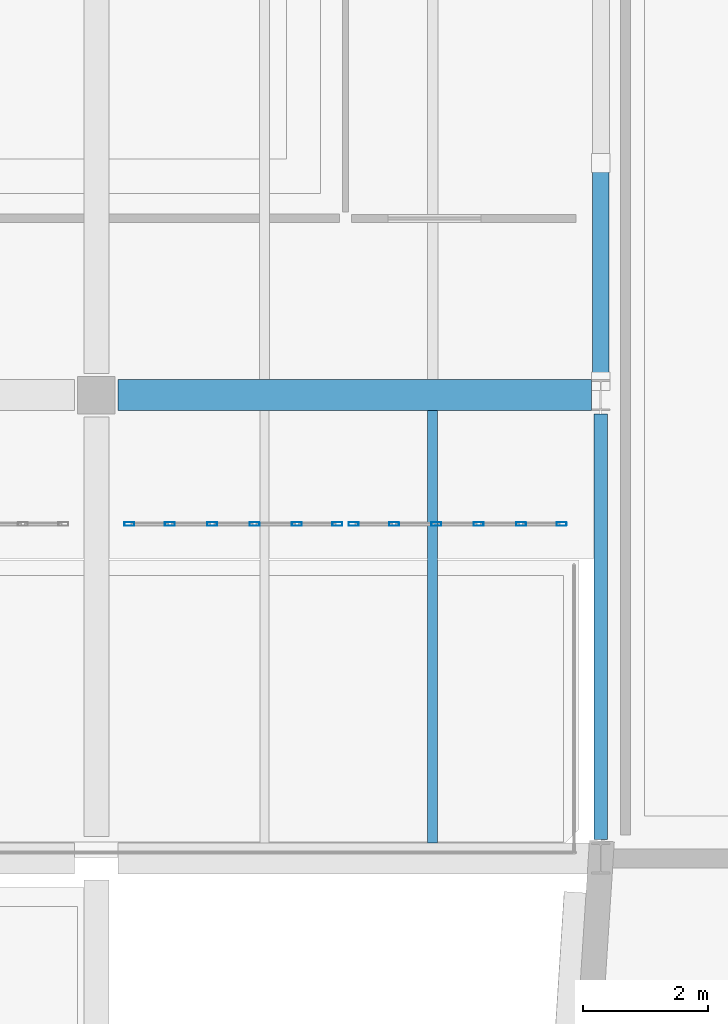
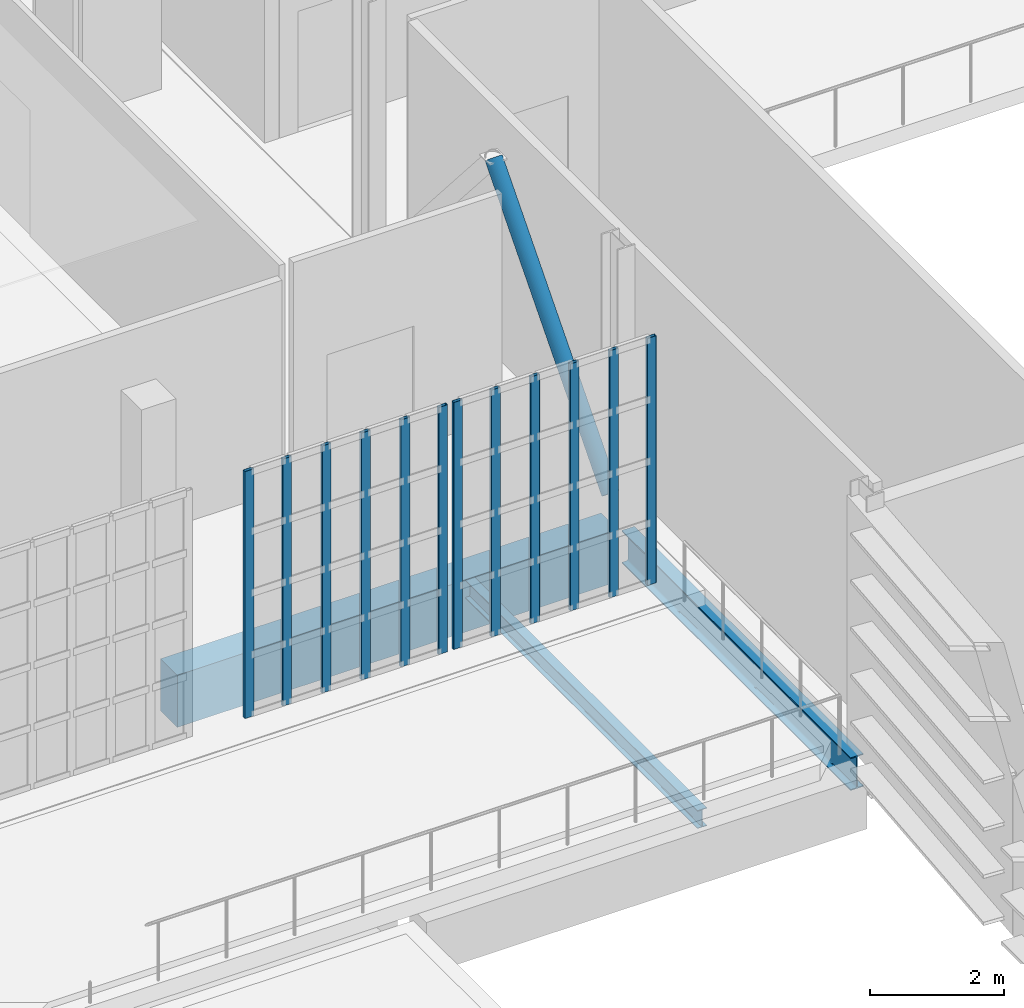
# One storey, part 16 of 104: 13 members, 3 beams, 2 elements without a shape of their own.
"""IFC4 building model written with IfcOpenShell, lengths in metres."""

from ifc_helpers import new_model, si_unit, direction, frame, origin, origin_2d, place, context, subcontext, project, spatial, rectangle, hollow_rectangle, hollow_circle, i_section, extrude, material, material_profile, profile_set, type_object, element, aggregate, save


model = new_model("IFC4")

# Units and contexts
model_context = context("Model", 3, precision=1e-05, world=origin(), true_north=direction((0.0, 1.0)))
body_context = subcontext(model_context, "Body", "Model", "MODEL_VIEW")
ifc_project = project(units=[si_unit("LENGTHUNIT", "METRE"), si_unit("AREAUNIT", "SQUARE_METRE"), si_unit("VOLUMEUNIT", "CUBIC_METRE"), si_unit("PLANEANGLEUNIT", "RADIAN"), si_unit("MASSUNIT", "GRAM", prefix="KILO")], contexts=[model_context])

# Site, building, storey
site_placement = place(None, origin())
site = spatial("IfcSite", under=ifc_project, at=site_placement, CompositionType="ELEMENT")
building_placement = place(site_placement, origin())
building = spatial("IfcBuilding", under=site, at=building_placement, Name="Kaelora Sail Theatre", CompositionType="ELEMENT")
storey_placement = place(building_placement, frame((0.0, 0.0, 5.39990234375)))
storey = spatial("IfcBuildingStorey", under=building, at=storey_placement, Name="L01", CompositionType="ELEMENT", Elevation=5.39990234375)

# Curtain wall, members
ifc_material_1 = material(Name="Anodised aluminium and solar-control low-E IGU", Category="aluminium")
curtain_wall_type = type_object("IfcCurtainWallType", Name="ARC-CW-CW-FOY2", PredefinedType="NOTDEFINED", material=ifc_material_1)
curtain_wall_1_placement = place(storey_placement, origin())
curtain_wall_1 = element("IfcCurtainWall", 1, at=curtain_wall_1_placement, inside=storey, type_object=curtain_wall_type, Name="Glazed Foyer/Conservatory Curtain Wall FW1-S-L01-04", PredefinedType="NOTDEFINED")
ifc_material_2 = material(Name="Anodised aluminium 6063-T6", Category="aluminium")
ifc_material_profile_1 = material_profile(ifc_material_2, hollow_rectangle(XDim=0.06005859375, YDim=0.159912109375, WallThickness=0.00390625, InnerFilletRadius=0.00390625, OuterFilletRadius=0.008056640625, at=origin_2d()), Name="ALU-MULL 60x160x4")
ifc_profile_set_1 = profile_set([ifc_material_profile_1], Name="Anodised aluminium 6063-T6")
member_type_1 = type_object("IfcMemberType", Name="ARC-MEM-ML-160", PredefinedType="MULLION", material=ifc_profile_set_1)
member_1_placement = place(storey_placement, frame((18.22998046875, 66.389892578125, 0.0), z_axis=(0.0, 0.0, 1.0), x_axis=(0.0, 1.0, 0.0)))
member_1 = element("IfcMember", 2, at=member_1_placement, type_object=member_type_1, Name="CW-FOY2 mullion 1", PredefinedType="MULLION", context=body_context, shape_type="SweptSolid", body=[
    extrude(hollow_rectangle(XDim=0.06005859375, YDim=0.159912109375, WallThickness=0.00390625, InnerFilletRadius=0.00390625, OuterFilletRadius=0.008056640625, at=origin_2d()), origin(), (0.0, 0.0, 1.0), 4.505126953125),
])
member_2_placement = place(storey_placement, frame((18.8798828125, 66.389892578125, 0.0), z_axis=(0.0, 0.0, 1.0), x_axis=(0.0, 1.0, 0.0)))
member_2 = element("IfcMember", 3, at=member_2_placement, type_object=member_type_1, Name="CW-FOY2 mullion 2", PredefinedType="MULLION", context=body_context, shape_type="SweptSolid", body=[
    extrude(hollow_rectangle(XDim=0.06005859375, YDim=0.159912109375, WallThickness=0.00390625, InnerFilletRadius=0.00390625, OuterFilletRadius=0.008056640625, at=origin_2d()), origin(), (0.0, 0.0, 1.0), 4.505126953125),
])
member_3_placement = place(storey_placement, frame((19.56005859375, 66.389892578125, 0.0), z_axis=(0.0, 0.0, 1.0), x_axis=(0.0, 1.0, 0.0)))
member_3 = element("IfcMember", 4, at=member_3_placement, type_object=member_type_1, Name="CW-FOY2 mullion 3", PredefinedType="MULLION", context=body_context, shape_type="SweptSolid", body=[
    extrude(hollow_rectangle(XDim=0.06005859375, YDim=0.159912109375, WallThickness=0.00390625, InnerFilletRadius=0.00390625, OuterFilletRadius=0.008056640625, at=origin_2d()), origin(), (0.0, 0.0, 1.0), 4.505126953125),
])
member_4_placement = place(storey_placement, frame((20.239990234375, 66.389892578125, 0.0), z_axis=(0.0, 0.0, 1.0), x_axis=(0.0, 1.0, 0.0)))
member_4 = element("IfcMember", 5, at=member_4_placement, type_object=member_type_1, Name="CW-FOY2 mullion 4", PredefinedType="MULLION", context=body_context, shape_type="SweptSolid", body=[
    extrude(hollow_rectangle(XDim=0.06005859375, YDim=0.159912109375, WallThickness=0.00390625, InnerFilletRadius=0.00390625, OuterFilletRadius=0.008056640625, at=origin_2d()), origin(), (0.0, 0.0, 1.0), 4.505126953125),
])
member_5_placement = place(storey_placement, frame((20.919921875, 66.389892578125, 0.0), z_axis=(0.0, 0.0, 1.0), x_axis=(0.0, 1.0, 0.0)))
member_5 = element("IfcMember", 6, at=member_5_placement, type_object=member_type_1, Name="CW-FOY2 mullion 5", PredefinedType="MULLION", context=body_context, shape_type="SweptSolid", body=[
    extrude(hollow_rectangle(XDim=0.06005859375, YDim=0.159912109375, WallThickness=0.00390625, InnerFilletRadius=0.00390625, OuterFilletRadius=0.008056640625, at=origin_2d()), origin(), (0.0, 0.0, 1.0), 4.505126953125),
])
member_6_placement = place(storey_placement, frame((21.570068359375, 66.389892578125, 0.0), z_axis=(0.0, 0.0, 1.0), x_axis=(0.0, 1.0, 0.0)))
member_6 = element("IfcMember", 7, at=member_6_placement, type_object=member_type_1, Name="CW-FOY2 mullion 6", PredefinedType="MULLION", context=body_context, shape_type="SweptSolid", body=[
    extrude(hollow_rectangle(XDim=0.06005859375, YDim=0.159912109375, WallThickness=0.00390625, InnerFilletRadius=0.00390625, OuterFilletRadius=0.008056640625, at=origin_2d()), origin(), (0.0, 0.0, 1.0), 4.505126953125),
])
aggregate(curtain_wall_1, [member_1, member_2, member_3, member_4, member_5, member_6])

curtain_wall_2_placement = place(storey_placement, origin())
curtain_wall_2 = element("IfcCurtainWall", 8, at=curtain_wall_2_placement, inside=storey, type_object=curtain_wall_type, Name="Glazed Foyer/Conservatory Curtain Wall FW1-S-L01-05", PredefinedType="NOTDEFINED")
member_7_placement = place(storey_placement, frame((21.830078125, 66.389892578125, 0.0), z_axis=(0.0, 0.0, 1.0), x_axis=(0.0, 1.0, 0.0)))
member_7 = element("IfcMember", 9, at=member_7_placement, type_object=member_type_1, Name="CW-FOY2 mullion 1", PredefinedType="MULLION", context=body_context, shape_type="SweptSolid", body=[
    extrude(hollow_rectangle(XDim=0.06005859375, YDim=0.159912109375, WallThickness=0.00390625, InnerFilletRadius=0.00390625, OuterFilletRadius=0.008056640625, at=origin_2d()), origin(), (0.0, 0.0, 1.0), 4.505126953125),
])
member_8_placement = place(storey_placement, frame((22.47998046875, 66.389892578125, 0.0), z_axis=(0.0, 0.0, 1.0), x_axis=(0.0, 1.0, 0.0)))
member_8 = element("IfcMember", 10, at=member_8_placement, type_object=member_type_1, Name="CW-FOY2 mullion 2", PredefinedType="MULLION", context=body_context, shape_type="SweptSolid", body=[
    extrude(hollow_rectangle(XDim=0.06005859375, YDim=0.159912109375, WallThickness=0.00390625, InnerFilletRadius=0.00390625, OuterFilletRadius=0.008056640625, at=origin_2d()), origin(), (0.0, 0.0, 1.0), 4.505126953125),
])
member_9_placement = place(storey_placement, frame((23.159912109375, 66.389892578125, 0.0), z_axis=(0.0, 0.0, 1.0), x_axis=(0.0, 1.0, 0.0)))
member_9 = element("IfcMember", 11, at=member_9_placement, type_object=member_type_1, Name="CW-FOY2 mullion 3", PredefinedType="MULLION", context=body_context, shape_type="SweptSolid", body=[
    extrude(hollow_rectangle(XDim=0.06005859375, YDim=0.159912109375, WallThickness=0.00390625, InnerFilletRadius=0.00390625, OuterFilletRadius=0.008056640625, at=origin_2d()), origin(), (0.0, 0.0, 1.0), 4.505126953125),
])
member_10_placement = place(storey_placement, frame((23.840087890625, 66.389892578125, 0.0), z_axis=(0.0, 0.0, 1.0), x_axis=(0.0, 1.0, 0.0)))
member_10 = element("IfcMember", 12, at=member_10_placement, type_object=member_type_1, Name="CW-FOY2 mullion 4", PredefinedType="MULLION", context=body_context, shape_type="SweptSolid", body=[
    extrude(hollow_rectangle(XDim=0.06005859375, YDim=0.159912109375, WallThickness=0.00390625, InnerFilletRadius=0.00390625, OuterFilletRadius=0.008056640625, at=origin_2d()), origin(), (0.0, 0.0, 1.0), 4.505126953125),
])
member_11_placement = place(storey_placement, frame((24.52001953125, 66.389892578125, 0.0), z_axis=(0.0, 0.0, 1.0), x_axis=(0.0, 1.0, 0.0)))
member_11 = element("IfcMember", 13, at=member_11_placement, type_object=member_type_1, Name="CW-FOY2 mullion 5", PredefinedType="MULLION", context=body_context, shape_type="SweptSolid", body=[
    extrude(hollow_rectangle(XDim=0.06005859375, YDim=0.159912109375, WallThickness=0.00390625, InnerFilletRadius=0.00390625, OuterFilletRadius=0.008056640625, at=origin_2d()), origin(), (0.0, 0.0, 1.0), 4.505126953125),
])
member_12_placement = place(storey_placement, frame((25.169921875, 66.389892578125, 0.0), z_axis=(0.0, 0.0, 1.0), x_axis=(0.0, 1.0, 0.0)))
member_12 = element("IfcMember", 14, at=member_12_placement, type_object=member_type_1, Name="CW-FOY2 mullion 6", PredefinedType="MULLION", context=body_context, shape_type="SweptSolid", body=[
    extrude(hollow_rectangle(XDim=0.06005859375, YDim=0.159912109375, WallThickness=0.00390625, InnerFilletRadius=0.00390625, OuterFilletRadius=0.008056640625, at=origin_2d()), origin(), (0.0, 0.0, 1.0), 4.505126953125),
])
aggregate(curtain_wall_2, [member_7, member_8, member_9, member_10, member_11, member_12])

# Beams
ifc_material_3 = material(Name="Steel S355", Category="steel")
ifc_material_profile_2 = material_profile(ifc_material_3, i_section(OverallWidth=0.219970703125, OverallDepth=0.60009765625, WebThickness=0.011962890625, FlangeThickness=0.01904296875, FilletRadius=0.02392578125, at=origin_2d()), Name="IPE 600")
ifc_profile_set_2 = profile_set([ifc_material_profile_2], Name="Steel S355")
beam_type_1 = type_object("IfcBeamType", Name="STR-BM-BM-IPE600", PredefinedType="USERDEFINED", material=ifc_profile_set_2)
beam_1_placement = place(storey_placement, frame((25.800048828125, 61.320068359375, -0.594970703125), z_axis=(0.0, 1.0, 0.0), x_axis=(-1.0, 0.0, 0.0)))
element("IfcBeam", 15, at=beam_1_placement, inside=storey, type_object=beam_type_1, Name="Primary beam 4 I-J (L01)", ObjectType="GIRDER", PredefinedType="USERDEFINED", context=body_context, shape_type="SweptSolid", body=[
    extrude(i_section(OverallWidth=0.219970703125, OverallDepth=0.60009765625, WebThickness=0.011962890625, FlangeThickness=0.01904296875, FilletRadius=0.02392578125, at=origin_2d()), origin(), (0.0, 0.0, 1.0), 6.83984375),
])
ifc_material_4 = material(Name="Concrete C45/55", Category="concrete")
ifc_material_profile_3 = material_profile(ifc_material_4, rectangle(XDim=0.5, YDim=0.949951171875, at=origin_2d()), Name="RC-GRD 500x950")
ifc_profile_set_3 = profile_set([ifc_material_profile_3], Name="Concrete C45/55")
beam_type_2 = type_object("IfcBeamType", Name="STR-BM-GR-RC5095", PredefinedType="T_BEAM", material=ifc_profile_set_3)
beam_2_placement = place(storey_placement, frame((18.050048828125, 68.4599609375, -0.77001953125), z_axis=(1.0, 0.0, 0.0), x_axis=(0.0, 1.0, 0.0)))
element("IfcBeam", 16, at=beam_2_placement, inside=storey, type_object=beam_type_2, Name="Primary beam J 3-4 (L01)", PredefinedType="T_BEAM", context=body_context, shape_type="SweptSolid", body=[
    extrude(rectangle(XDim=0.5, YDim=0.949951171875, at=origin_2d()), origin(), (0.0, 0.0, 1.0), 7.599853515625),
])
ifc_material_5 = material(Name="Steel S355", Category="steel")
ifc_material_profile_4 = material_profile(ifc_material_5, i_section(OverallWidth=0.159912109375, OverallDepth=0.330078125, WebThickness=0.007568359375, FlangeThickness=0.011474609375, FilletRadius=0.01806640625, at=origin_2d()), Name="IPE 330")
ifc_profile_set_4 = profile_set([ifc_material_profile_4], Name="Steel S355")
beam_type_3 = type_object("IfcBeamType", Name="STR-BM-JS-IPE330", PredefinedType="JOIST", material=ifc_profile_set_4)
beam_3_placement = place(storey_placement, frame((23.10009765625, 61.27001953125, -0.4599609375), z_axis=(0.0, 1.0, 0.0), x_axis=(-1.0, 0.0, 0.0)))
element("IfcBeam", 17, at=beam_3_placement, inside=storey, type_object=beam_type_3, Name="Secondary floor joist 3/I-2 (L01)", PredefinedType="JOIST", context=body_context, shape_type="SweptSolid", body=[
    extrude(i_section(OverallWidth=0.159912109375, OverallDepth=0.330078125, WebThickness=0.007568359375, FlangeThickness=0.011474609375, FilletRadius=0.01806640625, at=origin_2d()), origin(), (0.0, 0.0, 1.0), 6.93994140625),
])

# Member
ifc_material_6 = material(Name="Steel S355", Category="steel")
ifc_material_profile_5 = material_profile(ifc_material_6, hollow_circle(Radius=0.136474609375, WallThickness=0.012451171875, at=origin_2d()), Name="CHS 273.0x12.5")
ifc_profile_set_5 = profile_set([ifc_material_profile_5], Name="Steel S355")
member_type_2 = type_object("IfcMemberType", Name="STR-MEM-BR-CHS273", PredefinedType="BRACE", material=ifc_profile_set_5)
member_13_placement = place(storey_placement, frame((25.800048828125, 68.68994140625, 0.02001953125), z_axis=(0.0, 0.656957756991, 0.753927387438), x_axis=(-1.0, 0.0, 0.0)))
element("IfcMember", 18, at=member_13_placement, inside=storey, type_object=member_type_2, Name="Fly Tower chevron brace L01 WM1", PredefinedType="BRACE", context=body_context, shape_type="SweptSolid", body=[
    extrude(hollow_circle(Radius=0.136474609375, WallThickness=0.012451171875, at=origin_2d()), origin(), (0.0, 0.0, 1.0), 5.312255859375),
])

save(model, "model.ifc")
